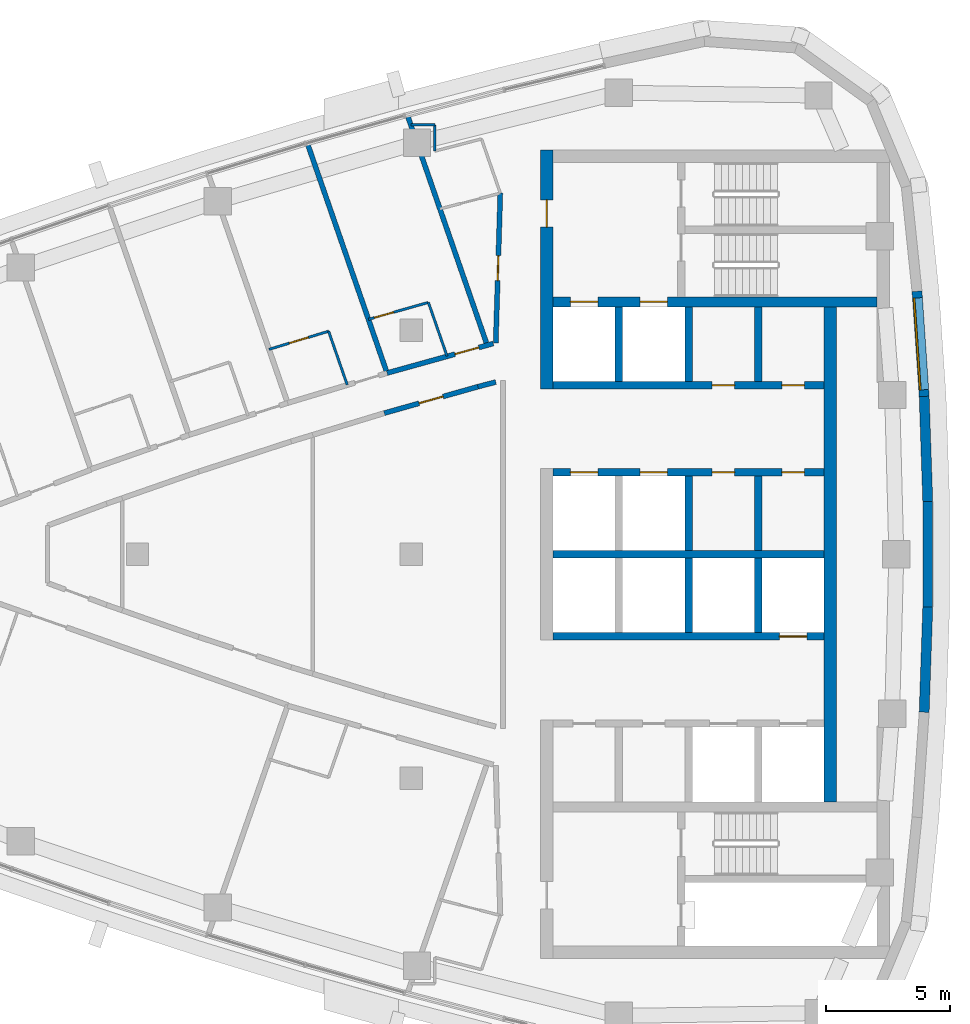
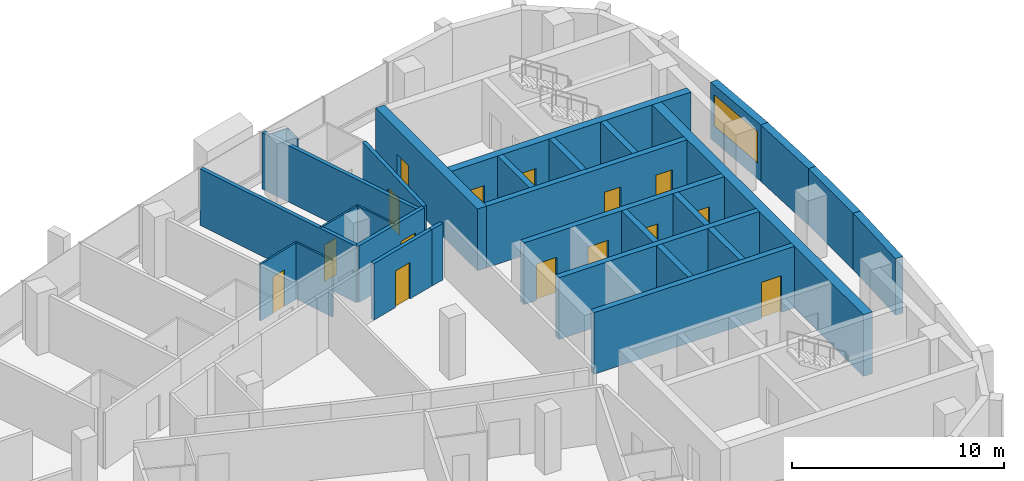
# One storey, part 9 of 14: 30 walls, 15 doors, 1 window, 16 openings.
"""IFC4 building model written with IfcOpenShell, lengths in metres."""

from ifc_helpers import new_model, si_unit, direction, frame, frame_2d, origin, place, context, subcontext, project, spatial, polyline, rectangle, outline, extrude, material, layer, layer_set, type_object, element, fill, save


model = new_model("IFC4")

# Units and contexts
model_context = context("Model", 3, precision=1e-05, world=origin(), true_north=direction((0.0, 1.0)))
body_context = subcontext(model_context, "Body", "Model", "MODEL_VIEW")
ifc_project = project(units=[si_unit("LENGTHUNIT", "METRE"), si_unit("AREAUNIT", "SQUARE_METRE"), si_unit("VOLUMEUNIT", "CUBIC_METRE"), si_unit("PLANEANGLEUNIT", "RADIAN"), si_unit("MASSUNIT", "GRAM", prefix="KILO")], contexts=[model_context])

# Site, building, storey
site_placement = place(None, origin())
site = spatial("IfcSite", under=ifc_project, at=site_placement, CompositionType="ELEMENT")
building_placement = place(site_placement, origin())
building = spatial("IfcBuilding", under=site, at=building_placement, Name="Ostrand Prow Hotel Tower", CompositionType="ELEMENT")
storey_placement = place(building_placement, frame((0.0, 0.0, 285.64990234375)))
storey = spatial("IfcBuildingStorey", under=building, at=storey_placement, Name="L72", CompositionType="ELEMENT", Elevation=285.64990234375)

# Wall
ifc_material_1 = material(Name="Concrete C50/60", Category="concrete")
ifc_layer_1 = layer(ifc_material_1, 0.300048828125)
ifc_layer_set_1 = layer_set([ifc_layer_1], Name="Concrete C50/60")
wall_type_1 = type_object("IfcWallType", Name="Core wall 300 C50/60", PredefinedType="SHEAR", material=ifc_layer_set_1)
wall_1_placement = place(storey_placement, frame((50.699951171875, 0.0, 0.0), z_axis=(0.0, 0.0, 1.0), x_axis=(1.0, 0.0, 0.0)))
element("IfcWall", 1, at=wall_1_placement, inside=storey, type_object=wall_type_1, Name="Core wall PW-C", PredefinedType="SHEAR", context=body_context, shape_type="SweptSolid", body=[
    extrude(rectangle(XDim=10.900146484375, YDim=0.300048828125, at=frame_2d((5.4501953125, 0.0))), origin(), (0.0, 0.0, 1.0), 3.550048828125),
])

# Wall, openings, doors
wall_2_placement = place(storey_placement, frame((50.699951171875, 3.300048828125, 0.0), z_axis=(0.0, 0.0, 1.0), x_axis=(1.0, 0.0, 0.0)))
wall_2 = element("IfcWall", 2, at=wall_2_placement, inside=storey, type_object=wall_type_1, Name="Core wall PW-L1-N", PredefinedType="SHEAR", context=body_context, shape_type="SweptSolid", body=[
    extrude(rectangle(XDim=10.900146484375, YDim=0.300048828125, at=frame_2d((5.4501953125, 0.0))), origin(), (0.0, 0.0, 1.0), 3.550048828125),
])
opening_1_placement = place(wall_2_placement, frame((0.699951171875, 0.0, 0.0)))
opening_1 = element("IfcOpeningElement", 3, at=opening_1_placement, cuts=wall_2, Name="Opening LD", PredefinedType="OPENING", context=body_context, shape_type="SweptSolid", body=[
    extrude(rectangle(XDim=1.10009765625, YDim=2.10009765625, at=frame_2d((0.550048828125, 1.050048828125))), frame((0.0, 0.159912109375, 0.0), z_axis=(0.0, -1.0, 0.0), x_axis=(1.0, 0.0, 0.0)), (0.0, 0.0, 1.0), 0.320068359375),
])
opening_2_placement = place(wall_2_placement, frame((3.5, 0.0, 0.0)))
opening_2 = element("IfcOpeningElement", 4, at=opening_2_placement, cuts=wall_2, Name="Opening LD", PredefinedType="OPENING", context=body_context, shape_type="SweptSolid", body=[
    extrude(rectangle(XDim=1.10009765625, YDim=2.10009765625, at=frame_2d((0.550048828125, 1.050048828125))), frame((0.0, 0.159912109375, 0.0), z_axis=(0.0, -1.0, 0.0), x_axis=(1.0, 0.0, 0.0)), (0.0, 0.0, 1.0), 0.320068359375),
])
opening_3_placement = place(wall_2_placement, frame((6.39990234375, 0.0, 0.0)))
opening_3 = element("IfcOpeningElement", 5, at=opening_3_placement, cuts=wall_2, Name="Opening FD2", PredefinedType="OPENING", context=body_context, shape_type="SweptSolid", body=[
    extrude(rectangle(XDim=0.89990234375, YDim=2.10009765625, at=frame_2d((0.449951171875, 1.050048828125))), frame((0.0, 0.159912109375, 0.0), z_axis=(0.0, -1.0, 0.0), x_axis=(1.0, 0.0, 0.0)), (0.0, 0.0, 1.0), 0.320068359375),
])
opening_4_placement = place(wall_2_placement, frame((9.199951171875, 0.0, 0.0)))
opening_4 = element("IfcOpeningElement", 6, at=opening_4_placement, cuts=wall_2, Name="Opening FD2", PredefinedType="OPENING", context=body_context, shape_type="SweptSolid", body=[
    extrude(rectangle(XDim=0.89990234375, YDim=2.10009765625, at=frame_2d((0.449951171875, 1.050048828125))), frame((0.0, 0.159912109375, 0.0), z_axis=(0.0, -1.0, 0.0), x_axis=(1.0, 0.0, 0.0)), (0.0, 0.0, 1.0), 0.320068359375),
])
ifc_material_2 = material(Name="Steel fire door", Category="steel")
door_type_1 = type_object("IfcDoorType", Name="Fire door 900 EI120", OperationType="SINGLE_SWING_LEFT", PredefinedType="DOOR", material=ifc_material_2)
door_1_placement = place(opening_3_placement, origin())
door_1 = element("IfcDoor", 7, at=door_1_placement, inside=storey, type_object=door_type_1, Name="DOOR", OperationType="SINGLE_SWING_LEFT", OverallHeight=2.10009765625, OverallWidth=0.89990234375, PredefinedType="DOOR", context=body_context, shape_type="SweptSolid", body=[
    extrude(rectangle(XDim=0.89990234375, YDim=2.10009765625, at=frame_2d((0.449951171875, 1.050048828125))), frame((0.0, 0.02490234375, 0.0), z_axis=(0.0, -1.0, 0.0), x_axis=(1.0, 0.0, 0.0)), (0.0, 0.0, 1.0), 0.050048828125),
])
fill(opening_3, door_1)
door_2_placement = place(opening_4_placement, origin())
door_2 = element("IfcDoor", 8, at=door_2_placement, inside=storey, type_object=door_type_1, Name="DOOR", OperationType="SINGLE_SWING_LEFT", OverallHeight=2.10009765625, OverallWidth=0.89990234375, PredefinedType="DOOR", context=body_context, shape_type="SweptSolid", body=[
    extrude(rectangle(XDim=0.89990234375, YDim=2.10009765625, at=frame_2d((0.449951171875, 1.050048828125))), frame((0.0, 0.02490234375, 0.0), z_axis=(0.0, -1.0, 0.0), x_axis=(1.0, 0.0, 0.0)), (0.0, 0.0, 1.0), 0.050048828125),
])
fill(opening_4, door_2)
ifc_material_3 = material(Name="Stainless steel door", Category="steel")
door_type_2 = type_object("IfcDoorType", Name="Lift landing door 1100", OperationType="DOUBLE_DOOR_SLIDING", PredefinedType="DOOR", material=ifc_material_3)
door_3_placement = place(opening_1_placement, origin())
door_3 = element("IfcDoor", 9, at=door_3_placement, inside=storey, type_object=door_type_2, Name="LIFT LANDING DOOR", OperationType="DOUBLE_DOOR_SLIDING", OverallHeight=2.10009765625, OverallWidth=1.10009765625, PredefinedType="DOOR", context=body_context, shape_type="SweptSolid", body=[
    extrude(rectangle(XDim=1.10009765625, YDim=2.10009765625, at=frame_2d((0.550048828125, 1.050048828125))), frame((0.0, 0.02490234375, 0.0), z_axis=(0.0, -1.0, 0.0), x_axis=(1.0, 0.0, 0.0)), (0.0, 0.0, 1.0), 0.050048828125),
])
fill(opening_1, door_3)
door_4_placement = place(opening_2_placement, origin())
door_4 = element("IfcDoor", 10, at=door_4_placement, inside=storey, type_object=door_type_2, Name="LIFT LANDING DOOR", OperationType="DOUBLE_DOOR_SLIDING", OverallHeight=2.10009765625, OverallWidth=1.10009765625, PredefinedType="DOOR", context=body_context, shape_type="SweptSolid", body=[
    extrude(rectangle(XDim=1.10009765625, YDim=2.10009765625, at=frame_2d((0.550048828125, 1.050048828125))), frame((0.0, 0.02490234375, 0.0), z_axis=(0.0, -1.0, 0.0), x_axis=(1.0, 0.0, 0.0)), (0.0, 0.0, 1.0), 0.050048828125),
])
fill(opening_2, door_4)

wall_3_placement = place(storey_placement, frame((50.699951171875, 6.800048828125, 0.0), z_axis=(0.0, 0.0, 1.0), x_axis=(1.0, 0.0, 0.0)))
wall_3 = element("IfcWall", 11, at=wall_3_placement, inside=storey, type_object=wall_type_1, Name="Core wall PW-L2-N", PredefinedType="SHEAR", context=body_context, shape_type="SweptSolid", body=[
    extrude(rectangle(XDim=10.900146484375, YDim=0.300048828125, at=frame_2d((5.4501953125, 0.0))), origin(), (0.0, 0.0, 1.0), 3.550048828125),
])
opening_5_placement = place(wall_3_placement, frame((6.39990234375, 0.0, 0.0)))
opening_5 = element("IfcOpeningElement", 12, at=opening_5_placement, cuts=wall_3, Name="Opening FD2", PredefinedType="OPENING", context=body_context, shape_type="SweptSolid", body=[
    extrude(rectangle(XDim=0.89990234375, YDim=2.10009765625, at=frame_2d((0.449951171875, 1.050048828125))), frame((0.0, 0.159912109375, 0.0), z_axis=(0.0, -1.0, 0.0), x_axis=(1.0, 0.0, 0.0)), (0.0, 0.0, 1.0), 0.320068359375),
])
opening_6_placement = place(wall_3_placement, frame((9.199951171875, 0.0, 0.0)))
opening_6 = element("IfcOpeningElement", 13, at=opening_6_placement, cuts=wall_3, Name="Opening FD2", PredefinedType="OPENING", context=body_context, shape_type="SweptSolid", body=[
    extrude(rectangle(XDim=0.89990234375, YDim=2.10009765625, at=frame_2d((0.449951171875, 1.050048828125))), frame((0.0, 0.159912109375, 0.0), z_axis=(0.0, -1.0, 0.0), x_axis=(1.0, 0.0, 0.0)), (0.0, 0.0, 1.0), 0.320068359375),
])
door_5_placement = place(opening_5_placement, origin())
door_5 = element("IfcDoor", 14, at=door_5_placement, inside=storey, type_object=door_type_1, Name="DOOR", OperationType="SINGLE_SWING_LEFT", OverallHeight=2.10009765625, OverallWidth=0.89990234375, PredefinedType="DOOR", context=body_context, shape_type="SweptSolid", body=[
    extrude(rectangle(XDim=0.89990234375, YDim=2.10009765625, at=frame_2d((0.449951171875, 1.050048828125))), frame((0.0, 0.02490234375, 0.0), z_axis=(0.0, -1.0, 0.0), x_axis=(1.0, 0.0, 0.0)), (0.0, 0.0, 1.0), 0.050048828125),
])
fill(opening_5, door_5)
door_6_placement = place(opening_6_placement, origin())
door_6 = element("IfcDoor", 15, at=door_6_placement, inside=storey, type_object=door_type_1, Name="DOOR", OperationType="SINGLE_SWING_LEFT", OverallHeight=2.10009765625, OverallWidth=0.89990234375, PredefinedType="DOOR", context=body_context, shape_type="SweptSolid", body=[
    extrude(rectangle(XDim=0.89990234375, YDim=2.10009765625, at=frame_2d((0.449951171875, 1.050048828125))), frame((0.0, 0.02490234375, 0.0), z_axis=(0.0, -1.0, 0.0), x_axis=(1.0, 0.0, 0.0)), (0.0, 0.0, 1.0), 0.050048828125),
])
fill(opening_6, door_6)

# Walls
for number, where, z_axis, x_axis, name in (
    (16, (53.35009765625, 6.949951171875, 0.0), (0.0, 0.0, 1.0), (0.0, 1.0, 0.0), "Core wall PW-R1-NA"),
    (17, (56.14990234375, 0.14990234375, 0.0), (0.0, 0.0, 1.0), (0.0, 1.0, 0.0), "Core wall PW-R2-NB"),
    (18, (56.14990234375, 6.949951171875, 0.0), (0.0, 0.0, 1.0), (0.0, 1.0, 0.0), "Core wall PW-R2-NA"),
    (19, (58.949951171875, 0.14990234375, 0.0), (0.0, 0.0, 1.0), (0.0, 1.0, 0.0), "Core wall PW-R3-NB"),
    (20, (58.949951171875, 6.949951171875, 0.0), (0.0, 0.0, 1.0), (0.0, 1.0, 0.0), "Core wall PW-R3-NA"),
):
    element("IfcWall", number, at=place(storey_placement, frame(where, z_axis=z_axis, x_axis=x_axis)), inside=storey, type_object=wall_type_1, Name=name, PredefinedType="SHEAR", context=body_context, shape_type="SweptSolid", body=[
        extrude(rectangle(XDim=3.0, YDim=0.300048828125, at=frame_2d((1.5, 0.0))), origin(), (0.0, 0.0, 1.0), 3.550048828125),
    ])

# Wall, opening, door
wall_4_placement = place(storey_placement, frame((50.699951171875, -3.300048828125, 0.0), z_axis=(0.0, 0.0, 1.0), x_axis=(1.0, 0.0, 0.0)))
wall_4 = element("IfcWall", 21, at=wall_4_placement, inside=storey, type_object=wall_type_1, Name="Core wall PW-L1-S", PredefinedType="SHEAR", context=body_context, shape_type="SweptSolid", body=[
    extrude(rectangle(XDim=10.900146484375, YDim=0.300048828125, at=frame_2d((5.4501953125, 0.0))), origin(), (0.0, 0.0, 1.0), 3.550048828125),
])
opening_7_placement = place(wall_4_placement, frame((9.10009765625, 0.0, 0.0)))
opening_7 = element("IfcOpeningElement", 22, at=opening_7_placement, cuts=wall_4, Name="Opening LD", PredefinedType="OPENING", context=body_context, shape_type="SweptSolid", body=[
    extrude(rectangle(XDim=1.10009765625, YDim=2.10009765625, at=frame_2d((0.550048828125, 1.050048828125))), frame((0.0, 0.159912109375, 0.0), z_axis=(0.0, -1.0, 0.0), x_axis=(1.0, 0.0, 0.0)), (0.0, 0.0, 1.0), 0.320068359375),
])
door_7_placement = place(opening_7_placement, origin())
door_7 = element("IfcDoor", 23, at=door_7_placement, inside=storey, type_object=door_type_2, Name="LIFT LANDING DOOR", OperationType="DOUBLE_DOOR_SLIDING", OverallHeight=2.10009765625, OverallWidth=1.10009765625, PredefinedType="DOOR", context=body_context, shape_type="SweptSolid", body=[
    extrude(rectangle(XDim=1.10009765625, YDim=2.10009765625, at=frame_2d((0.550048828125, 1.050048828125))), frame((0.0, 0.02490234375, 0.0), z_axis=(0.0, -1.0, 0.0), x_axis=(1.0, 0.0, 0.0)), (0.0, 0.0, 1.0), 0.050048828125),
])
fill(opening_7, door_7)

# Walls
for number, where, z_axis, x_axis, name in (
    (24, (56.14990234375, -3.14990234375, 0.0), (0.0, 0.0, 1.0), (0.0, 1.0, 0.0), "Core wall PW-R2-SB"),
    (25, (58.949951171875, -3.14990234375, 0.0), (0.0, 0.0, 1.0), (0.0, 1.0, 0.0), "Core wall PW-R3-SB"),
):
    element("IfcWall", number, at=place(storey_placement, frame(where, z_axis=z_axis, x_axis=x_axis)), inside=storey, type_object=wall_type_1, Name=name, PredefinedType="SHEAR", context=body_context, shape_type="SweptSolid", body=[
        extrude(rectangle(XDim=3.0, YDim=0.300048828125, at=frame_2d((1.5, 0.0))), origin(), (0.0, 0.0, 1.0), 3.550048828125),
    ])

# Wall, openings, doors
ifc_material_4 = material(Name="Concrete C50/60", Category="concrete")
ifc_layer_2 = layer(ifc_material_4, 0.39990234375)
ifc_layer_set_2 = layer_set([ifc_layer_2], Name="Concrete C50/60")
wall_type_2 = type_object("IfcWallType", Name="Core wall 400 C50/60", PredefinedType="SHEAR", material=ifc_layer_set_2)
wall_5_placement = place(storey_placement, frame((50.699951171875, 10.14990234375, 0.0), z_axis=(0.0, 0.0, 1.0), x_axis=(1.0, 0.0, 0.0)))
wall_5 = element("IfcWall", 26, at=wall_5_placement, inside=storey, type_object=wall_type_2, Name="Core wall PW-BN", PredefinedType="SHEAR", context=body_context, shape_type="SweptSolid", body=[
    extrude(rectangle(XDim=13.02001953125, YDim=0.39990234375, at=frame_2d((6.510009765625, 0.0))), origin(), (0.0, 0.0, 1.0), 3.550048828125),
])
opening_8_placement = place(wall_5_placement, frame((0.699951171875, 0.0, 0.0)))
opening_8 = element("IfcOpeningElement", 27, at=opening_8_placement, cuts=wall_5, Name="Opening LD", PredefinedType="OPENING", context=body_context, shape_type="SweptSolid", body=[
    extrude(rectangle(XDim=1.10009765625, YDim=2.10009765625, at=frame_2d((0.550048828125, 1.050048828125))), frame((0.0, 0.2099609375, 0.0), z_axis=(0.0, -1.0, 0.0), x_axis=(1.0, 0.0, 0.0)), (0.0, 0.0, 1.0), 0.419921875),
])
opening_9_placement = place(wall_5_placement, frame((3.5, 0.0, 0.0)))
opening_9 = element("IfcOpeningElement", 28, at=opening_9_placement, cuts=wall_5, Name="Opening LD", PredefinedType="OPENING", context=body_context, shape_type="SweptSolid", body=[
    extrude(rectangle(XDim=1.10009765625, YDim=2.10009765625, at=frame_2d((0.550048828125, 1.050048828125))), frame((0.0, 0.2099609375, 0.0), z_axis=(0.0, -1.0, 0.0), x_axis=(1.0, 0.0, 0.0)), (0.0, 0.0, 1.0), 0.419921875),
])
door_8_placement = place(opening_8_placement, origin())
door_8 = element("IfcDoor", 29, at=door_8_placement, inside=storey, type_object=door_type_2, Name="LIFT LANDING DOOR", OperationType="DOUBLE_DOOR_SLIDING", OverallHeight=2.10009765625, OverallWidth=1.10009765625, PredefinedType="DOOR", context=body_context, shape_type="SweptSolid", body=[
    extrude(rectangle(XDim=1.10009765625, YDim=2.10009765625, at=frame_2d((0.550048828125, 1.050048828125))), frame((0.0, 0.02490234375, 0.0), z_axis=(0.0, -1.0, 0.0), x_axis=(1.0, 0.0, 0.0)), (0.0, 0.0, 1.0), 0.050048828125),
])
fill(opening_8, door_8)
door_9_placement = place(opening_9_placement, origin())
door_9 = element("IfcDoor", 30, at=door_9_placement, inside=storey, type_object=door_type_2, Name="LIFT LANDING DOOR", OperationType="DOUBLE_DOOR_SLIDING", OverallHeight=2.10009765625, OverallWidth=1.10009765625, PredefinedType="DOOR", context=body_context, shape_type="SweptSolid", body=[
    extrude(rectangle(XDim=1.10009765625, YDim=2.10009765625, at=frame_2d((0.550048828125, 1.050048828125))), frame((0.0, 0.02490234375, 0.0), z_axis=(0.0, -1.0, 0.0), x_axis=(1.0, 0.0, 0.0)), (0.0, 0.0, 1.0), 0.050048828125),
])
fill(opening_9, door_9)

# Wall, opening, door
ifc_material_5 = material(Name="Concrete C50/60", Category="concrete")
ifc_layer_3 = layer(ifc_material_5, 0.5)
ifc_layer_set_3 = layer_set([ifc_layer_3], Name="Concrete C50/60")
wall_type_3 = type_object("IfcWallType", Name="Core wall 500 C50/60", PredefinedType="SHEAR", material=ifc_layer_set_3)
wall_6_placement = place(storey_placement, frame((50.449951171875, 6.64990234375, 0.0), z_axis=(0.0, 0.0, 1.0), x_axis=(0.0, 1.0, 0.0)))
wall_6 = element("IfcWall", 31, at=wall_6_placement, inside=storey, type_object=wall_type_3, Name="Core wall CW-W-N", PredefinedType="SHEAR", context=body_context, shape_type="SweptSolid", body=[
    extrude(rectangle(XDim=9.60009765625, YDim=0.5, at=frame_2d((4.800048828125, 0.0))), origin(), (0.0, 0.0, 1.0), 3.550048828125),
])
opening_10_placement = place(wall_6_placement, frame((6.5, 0.0, 0.0)))
opening_10 = element("IfcOpeningElement", 32, at=opening_10_placement, cuts=wall_6, Name="Opening FD1", PredefinedType="OPENING", context=body_context, shape_type="SweptSolid", body=[
    extrude(rectangle(XDim=1.10009765625, YDim=2.10009765625, at=frame_2d((0.550048828125, 1.050048828125))), frame((0.0, 0.260009765625, 0.0), z_axis=(0.0, -1.0, 0.0), x_axis=(1.0, 0.0, 0.0)), (0.0, 0.0, 1.0), 0.52001953125),
])
ifc_material_6 = material(Name="Steel fire door", Category="steel")
door_type_3 = type_object("IfcDoorType", Name="Fire door 1100 EI120", OperationType="SINGLE_SWING_RIGHT", PredefinedType="DOOR", material=ifc_material_6)
door_10_placement = place(opening_10_placement, origin())
door_10 = element("IfcDoor", 33, at=door_10_placement, inside=storey, type_object=door_type_3, Name="FIRE DOOR", OperationType="SINGLE_SWING_RIGHT", OverallHeight=2.10009765625, OverallWidth=1.10009765625, PredefinedType="DOOR", context=body_context, shape_type="SweptSolid", body=[
    extrude(rectangle(XDim=1.10009765625, YDim=2.10009765625, at=frame_2d((0.550048828125, 1.050048828125))), frame((0.0, 0.02490234375, 0.0), z_axis=(0.0, -1.0, 0.0), x_axis=(1.0, 0.0, 0.0)), (0.0, 0.0, 1.0), 0.050048828125),
])
fill(opening_10, door_10)

# Wall
wall_7_placement = place(storey_placement, frame((61.85009765625, -9.949951171875, 0.0), z_axis=(0.0, 0.0, 1.0), x_axis=(0.0, 1.0, 0.0)))
element("IfcWall", 34, at=wall_7_placement, inside=storey, type_object=wall_type_3, Name="Core wall CW-E-C", PredefinedType="SHEAR", context=body_context, shape_type="SweptSolid", body=[
    extrude(rectangle(XDim=19.89990234375, YDim=0.5, at=frame_2d((9.949951171875, 0.0))), origin(), (0.0, 0.0, 1.0), 3.550048828125),
])

# Wall, opening, door
ifc_material_7 = material(Name="Plasterboard partition")
ifc_layer_4 = layer(ifc_material_7, 0.10009765625)
ifc_layer_set_4 = layer_set([ifc_layer_4], Name="Plasterboard partition")
wall_type_4 = type_object("IfcWallType", Name="Partition 100 bathroom wall", PredefinedType="PARTITIONING", material=ifc_layer_set_4)
wall_8_placement = place(storey_placement, frame((39.287841796875, 8.23828125, 0.0), z_axis=(0.0, 0.0, 1.0), x_axis=(0.956723503196, 0.290998519638, 0.0)))
wall_8 = element("IfcWall", 35, at=wall_8_placement, inside=storey, type_object=wall_type_4, Name="BATHROOM WALL", PredefinedType="PARTITIONING", context=body_context, shape_type="SweptSolid", body=[
    extrude(rectangle(XDim=2.501708984375, YDim=0.10009765625, at=frame_2d((1.2509765625, 0.0))), origin(), (0.0, 0.0, 1.0), 3.25),
])
opening_11_placement = place(wall_8_placement, frame((0.85009765625, 0.0, 0.0)))
opening_11 = element("IfcOpeningElement", 36, at=opening_11_placement, cuts=wall_8, Name="Opening D2", PredefinedType="OPENING", context=body_context, shape_type="SweptSolid", body=[
    extrude(rectangle(XDim=0.800048828125, YDim=2.10009765625, at=frame_2d((0.39990234375, 1.050048828125))), frame((0.0, 0.06005859375, 0.0), z_axis=(0.0, -1.0, 0.0), x_axis=(1.0, 0.0, 0.0)), (0.0, 0.0, 1.0), 0.1201171875),
])
ifc_material_8 = material(Name="Timber door leaf", Category="wood")
door_type_4 = type_object("IfcDoorType", Name="Bathroom door 800", OperationType="SINGLE_SWING_LEFT", PredefinedType="DOOR", material=ifc_material_8)
door_11_placement = place(opening_11_placement, origin())
door_11 = element("IfcDoor", 37, at=door_11_placement, inside=storey, type_object=door_type_4, Name="DOOR", OperationType="SINGLE_SWING_LEFT", OverallHeight=2.10009765625, OverallWidth=0.800048828125, PredefinedType="DOOR", context=body_context, shape_type="SweptSolid", body=[
    extrude(rectangle(XDim=0.800048828125, YDim=2.10009765625, at=frame_2d((0.39990234375, 1.050048828125))), frame((0.0, 0.02490234375, 0.0), z_axis=(0.0, -1.0, 0.0), x_axis=(1.0, 0.0, 0.0)), (0.0, 0.0, 1.0), 0.050048828125),
])
fill(opening_11, door_11)

# Wall
wall_9_placement = place(storey_placement, frame((41.681396484375, 8.966064453125, 0.0), z_axis=(0.0, 0.0, 1.0), x_axis=(0.327743427431, -0.944766767925, 0.0)))
element("IfcWall", 38, at=wall_9_placement, inside=storey, type_object=wall_type_4, Name="BATHROOM WALL", PredefinedType="PARTITIONING", context=body_context, shape_type="SweptSolid", body=[
    extrude(rectangle(XDim=2.27880859375, YDim=0.10009765625, at=frame_2d((1.139404296875, 0.0))), origin(), (0.0, 0.0, 1.0), 3.25),
])

# Wall, opening, door
wall_10_placement = place(storey_placement, frame((43.28271484375, 9.443603515625, 0.0), z_axis=(0.0, 0.0, 1.0), x_axis=(0.962409173596, 0.271603723424, 0.0)))
wall_10 = element("IfcWall", 39, at=wall_10_placement, inside=storey, type_object=wall_type_4, Name="BATHROOM WALL", PredefinedType="PARTITIONING", context=body_context, shape_type="SweptSolid", body=[
    extrude(rectangle(XDim=2.50439453125, YDim=0.10009765625, at=frame_2d((1.252197265625, 0.0))), origin(), (0.0, 0.0, 1.0), 3.25),
])
opening_12_placement = place(wall_10_placement, frame((0.25, 0.0, 0.0)))
opening_12 = element("IfcOpeningElement", 40, at=opening_12_placement, cuts=wall_10, Name="Opening D2", PredefinedType="OPENING", context=body_context, shape_type="SweptSolid", body=[
    extrude(rectangle(XDim=0.800048828125, YDim=2.10009765625, at=frame_2d((0.39990234375, 1.050048828125))), frame((0.0, 0.06005859375, 0.0), z_axis=(0.0, -1.0, 0.0), x_axis=(1.0, 0.0, 0.0)), (0.0, 0.0, 1.0), 0.1201171875),
])
door_12_placement = place(opening_12_placement, origin())
door_12 = element("IfcDoor", 41, at=door_12_placement, inside=storey, type_object=door_type_4, Name="DOOR", OperationType="SINGLE_SWING_LEFT", OverallHeight=2.10009765625, OverallWidth=0.800048828125, PredefinedType="DOOR", context=body_context, shape_type="SweptSolid", body=[
    extrude(rectangle(XDim=0.800048828125, YDim=2.10009765625, at=frame_2d((0.39990234375, 1.050048828125))), frame((0.0, 0.02490234375, 0.0), z_axis=(0.0, -1.0, 0.0), x_axis=(1.0, 0.0, 0.0)), (0.0, 0.0, 1.0), 0.050048828125),
])
fill(opening_12, door_12)

# Walls
wall_11_placement = place(storey_placement, frame((45.69287109375, 10.123779296875, 0.0), z_axis=(0.0, 0.0, 1.0), x_axis=(0.327764902685, -0.944759317799, 0.0)))
element("IfcWall", 42, at=wall_11_placement, inside=storey, type_object=wall_type_4, Name="BATHROOM WALL", PredefinedType="PARTITIONING", context=body_context, shape_type="SweptSolid", body=[
    extrude(rectangle(XDim=2.28076171875, YDim=0.10009765625, at=frame_2d((1.140380859375, 0.0))), origin(), (0.0, 0.0, 1.0), 3.25),
])
wall_12_placement = place(storey_placement, frame((44.98486328125, 17.258544921875, 0.0), z_axis=(0.0, 0.0, 1.0), x_axis=(1.0, 0.0, 0.0)))
element("IfcWall", 43, at=wall_12_placement, inside=storey, type_object=wall_type_4, Name="BATHROOM WALL", PredefinedType="PARTITIONING", context=body_context, shape_type="SweptSolid", body=[
    extrude(rectangle(XDim=0.9697265625, YDim=0.10009765625, at=frame_2d((0.48486328125, 0.0))), origin(), (0.0, 0.0, 1.0), 3.25),
])
wall_13_placement = place(storey_placement, frame((45.95458984375, 17.258544921875, 0.0), z_axis=(0.0, 0.0, 1.0), x_axis=(0.0, -1.0, 0.0)))
element("IfcWall", 44, at=wall_13_placement, inside=storey, type_object=wall_type_4, Name="BATHROOM WALL", PredefinedType="PARTITIONING", context=body_context, shape_type="SweptSolid", body=[
    extrude(rectangle(XDim=1.051025390625, YDim=0.10009765625, at=frame_2d((0.525390625, 0.0))), origin(), (0.0, 0.0, 1.0), 3.25),
])

# Wall, opening, door
ifc_material_9 = material(Name="Plasterboard partition")
ifc_layer_5 = layer(ifc_material_9, 0.199951171875)
ifc_layer_set_5 = layer_set([ifc_layer_5], Name="Plasterboard partition")
wall_type_5 = type_object("IfcWallType", Name="Partition 200 corridor wall", PredefinedType="PARTITIONING", material=ifc_layer_set_5)
wall_14_placement = place(storey_placement, frame((48.29931640625, 8.472900390625, 0.0), z_axis=(0.0, 0.0, 1.0), x_axis=(-0.96343417102, -0.267945140115, 0.0)))
wall_14 = element("IfcWall", 45, at=wall_14_placement, inside=storey, type_object=wall_type_5, Name="CORRIDOR WALL", PredefinedType="PARTITIONING", context=body_context, shape_type="SweptSolid", body=[
    extrude(rectangle(XDim=4.43017578125, YDim=0.199951171875, at=frame_2d((2.215087890625, 0.0))), origin(), (0.0, 0.0, 1.0), 3.25),
])
opening_13_placement = place(wall_14_placement, frame((0.60302734375, 0.0, 0.0)))
opening_13 = element("IfcOpeningElement", 46, at=opening_13_placement, cuts=wall_14, Name="Opening D1R", PredefinedType="OPENING", context=body_context, shape_type="SweptSolid", body=[
    extrude(rectangle(XDim=1.0, YDim=2.10009765625, at=frame_2d((0.5, 1.050048828125))), frame((0.0, 0.10986328125, 0.0), z_axis=(0.0, -1.0, 0.0), x_axis=(1.0, 0.0, 0.0)), (0.0, 0.0, 1.0), 0.219970703125),
])
ifc_material_10 = material(Name="Timber door leaf", Category="wood")
door_type_5 = type_object("IfcDoorType", Name="Guest room door 1000 right", OperationType="SINGLE_SWING_RIGHT", PredefinedType="DOOR", material=ifc_material_10)
door_13_placement = place(opening_13_placement, origin())
door_13 = element("IfcDoor", 47, at=door_13_placement, inside=storey, type_object=door_type_5, Name="DOOR", OperationType="SINGLE_SWING_RIGHT", OverallHeight=2.10009765625, OverallWidth=1.0, PredefinedType="DOOR", context=body_context, shape_type="SweptSolid", body=[
    extrude(rectangle(XDim=1.0, YDim=2.10009765625, at=frame_2d((0.5, 1.050048828125))), frame((0.0, 0.02490234375, 0.0), z_axis=(0.0, -1.0, 0.0), x_axis=(1.0, 0.0, 0.0)), (0.0, 0.0, 1.0), 0.050048828125),
])
fill(opening_13, door_13)

wall_15_placement = place(storey_placement, frame((43.91845703125, 5.6748046875, 0.0), z_axis=(0.0, 0.0, 1.0), x_axis=(0.962411212211, 0.271596499628, 0.0)))
wall_15 = element("IfcWall", 48, at=wall_15_placement, inside=storey, type_object=wall_type_5, Name="CORRIDOR WALL", PredefinedType="PARTITIONING", context=body_context, shape_type="SweptSolid", body=[
    extrude(rectangle(XDim=3.912841796875, YDim=0.199951171875, at=frame_2d((1.95654296875, 0.0))), origin(), (0.0, 0.0, 1.0), 3.25),
])
opening_14_placement = place(wall_15_placement, frame((1.45654296875, 0.0, 0.0)))
opening_14 = element("IfcOpeningElement", 49, at=opening_14_placement, cuts=wall_15, Name="Opening D1", PredefinedType="OPENING", context=body_context, shape_type="SweptSolid", body=[
    extrude(rectangle(XDim=1.0, YDim=2.10009765625, at=frame_2d((0.5, 1.050048828125))), frame((0.0, 0.10986328125, 0.0), z_axis=(0.0, -1.0, 0.0), x_axis=(1.0, 0.0, 0.0)), (0.0, 0.0, 1.0), 0.219970703125),
])
ifc_material_11 = material(Name="Timber door leaf", Category="wood")
door_type_6 = type_object("IfcDoorType", Name="Guest room door 1000", OperationType="SINGLE_SWING_LEFT", PredefinedType="DOOR", material=ifc_material_11)
door_14_placement = place(opening_14_placement, origin())
door_14 = element("IfcDoor", 50, at=door_14_placement, inside=storey, type_object=door_type_6, Name="DOOR", OperationType="SINGLE_SWING_LEFT", OverallHeight=2.10009765625, OverallWidth=1.0, PredefinedType="DOOR", context=body_context, shape_type="SweptSolid", body=[
    extrude(rectangle(XDim=1.0, YDim=2.10009765625, at=frame_2d((0.5, 1.050048828125))), frame((0.0, 0.02490234375, 0.0), z_axis=(0.0, -1.0, 0.0), x_axis=(1.0, 0.0, 0.0)), (0.0, 0.0, 1.0), 0.050048828125),
])
fill(opening_14, door_14)

# Wall
wall_16_placement = place(storey_placement, frame((47.684326171875, 6.737548828125, 0.0), z_axis=(0.0, 0.0, 1.0), x_axis=(0.967585713416, 0.252542842294, 0.0)))
element("IfcWall", 51, at=wall_16_placement, inside=storey, type_object=wall_type_5, Name="CORRIDOR WALL", PredefinedType="PARTITIONING", context=body_context, shape_type="SweptSolid", body=[
    extrude(rectangle(XDim=0.739501953125, YDim=0.199951171875, at=frame_2d((0.36962890625, 0.0))), origin(), (0.0, 0.0, 1.0), 3.25),
])

# Wall, opening, door
wall_17_placement = place(storey_placement, frame((48.58251953125, 14.515625, 0.0), z_axis=(0.0, 0.0, 1.0), x_axis=(-0.030318578026, -0.999540286245, 0.0)))
wall_17 = element("IfcWall", 52, at=wall_17_placement, inside=storey, type_object=wall_type_5, Name="CORRIDOR WALL", PredefinedType="PARTITIONING", context=body_context, shape_type="SweptSolid", body=[
    extrude(rectangle(XDim=6.023193359375, YDim=0.199951171875, at=frame_2d((3.01171875, 0.0))), origin(), (0.0, 0.0, 1.0), 3.25),
])
opening_15_placement = place(wall_17_placement, frame((2.511962890625, 0.0, 0.0)))
opening_15 = element("IfcOpeningElement", 53, at=opening_15_placement, cuts=wall_17, Name="Opening D1R", PredefinedType="OPENING", context=body_context, shape_type="SweptSolid", body=[
    extrude(rectangle(XDim=1.0, YDim=2.10009765625, at=frame_2d((0.5, 1.050048828125))), frame((0.0, 0.10986328125, 0.0), z_axis=(0.0, -1.0, 0.0), x_axis=(1.0, 0.0, 0.0)), (0.0, 0.0, 1.0), 0.219970703125),
])
door_15_placement = place(opening_15_placement, origin())
door_15 = element("IfcDoor", 54, at=door_15_placement, inside=storey, type_object=door_type_5, Name="DOOR", OperationType="SINGLE_SWING_RIGHT", OverallHeight=2.10009765625, OverallWidth=1.0, PredefinedType="DOOR", context=body_context, shape_type="SweptSolid", body=[
    extrude(rectangle(XDim=1.0, YDim=2.10009765625, at=frame_2d((0.5, 1.050048828125))), frame((0.0, 0.02490234375, 0.0), z_axis=(0.0, -1.0, 0.0), x_axis=(1.0, 0.0, 0.0)), (0.0, 0.0, 1.0), 0.050048828125),
])
fill(opening_15, door_15)

# Walls
ifc_material_12 = material(Name="Plasterboard partition")
ifc_layer_6 = layer(ifc_material_12, 0.199951171875)
ifc_layer_set_6 = layer_set([ifc_layer_6], Name="Plasterboard partition")
wall_type_6 = type_object("IfcWallType", Name="Partition 200 key partition", PredefinedType="PARTITIONING", material=ifc_layer_set_6)
wall_18_placement = place(storey_placement, frame((44.037841796875, 7.266845703125, 0.0), z_axis=(0.0, 0.0, 1.0), x_axis=(-0.327714576096, 0.944776776077, 0.0)))
element("IfcWall", 55, at=wall_18_placement, inside=storey, type_object=wall_type_6, Name="KEY PARTITION", PredefinedType="PARTITIONING", context=body_context, shape_type="SweptSolid", body=[
    extrude(rectangle(XDim=9.716796875, YDim=0.199951171875, at=frame_2d((4.8583984375, 0.0))), origin(), (0.0, 0.0, 1.0), 3.25),
])
wall_19_placement = place(storey_placement, frame((48.02294921875, 8.5, 0.0), z_axis=(0.0, 0.0, 1.0), x_axis=(-0.327705598625, 0.944779890043, 0.0)))
element("IfcWall", 56, at=wall_19_placement, inside=storey, type_object=wall_type_6, Name="KEY PARTITION", PredefinedType="PARTITIONING", context=body_context, shape_type="SweptSolid", body=[
    extrude(rectangle(XDim=9.60986328125, YDim=0.199951171875, at=frame_2d((4.804931640625, 0.0))), origin(), (0.0, 0.0, 1.0), 3.25),
])
ifc_material_13 = material(Name="Precast concrete C40/50", Category="concrete")
ifc_layer_7 = layer(ifc_material_13, 0.39990234375)
ifc_layer_set_7 = layer_set([ifc_layer_7], Name="Precast concrete C40/50")
wall_type_7 = type_object("IfcWallType", Name="Stone-faced precast wall 400 mm", PredefinedType="NOTDEFINED", material=ifc_layer_set_7)
for number, where, z_axis, x_axis, name in (
    (57, (65.6201171875, -6.34765625, 0.0), (0.0, 0.0, 1.0), (0.034082898699, 0.999419009233, 0.0), "Stone-faced wall back 7"),
    (58, (65.764404296875, -2.11669921875, 0.0), (0.0, 0.0, 1.0), (0.0, 1.0, 0.0), "Stone-faced wall back 8"),
    (59, (65.764404296875, 2.11669921875, 0.0), (0.0, 0.0, 1.0), (-0.034082898699, 0.999419009233, 0.0), "Stone-faced wall back 9"),
):
    element("IfcWall", number, at=place(storey_placement, frame(where, z_axis=z_axis, x_axis=x_axis)), inside=storey, type_object=wall_type_7, Name=name, PredefinedType="NOTDEFINED", context=body_context, shape_type="SweptSolid", body=[
        extrude(outline(polyline([(-0.00341796875, -0.199951171875), (4.23681640625, -0.199951171875), (4.22998046875, 0.199951171875), (0.00341796875, 0.199951171875), (-0.00341796875, -0.199951171875)])), origin(), (0.0, 0.0, 1.0), 3.25),
    ])

# Wall, opening, window
wall_20_placement = place(storey_placement, frame((65.6201171875, 6.34765625, 0.0), z_axis=(0.0, 0.0, 1.0), x_axis=(-0.068279584479, 0.997666225921, 0.0)))
wall_20 = element("IfcWall", 60, at=wall_20_placement, inside=storey, type_object=wall_type_7, Name="Stone-faced wall back 10", PredefinedType="NOTDEFINED", context=body_context, shape_type="SweptSolid", body=[
    extrude(outline(polyline([(-0.00341796875, -0.199951171875), (4.23681640625, -0.199951171875), (4.22998046875, 0.199951171875), (0.00341796875, 0.199951171875), (-0.00341796875, -0.199951171875)])), origin(), (0.0, 0.0, 1.0), 3.25),
])
opening_16_placement = place(wall_20_placement, frame((0.2666015625, 0.0, 0.89990234375)))
opening_16 = element("IfcOpeningElement", 61, at=opening_16_placement, cuts=wall_20, Name="Opening WS3-37", PredefinedType="OPENING", context=body_context, shape_type="SweptSolid", body=[
    extrude(rectangle(XDim=3.699951171875, YDim=1.800048828125, at=frame_2d((1.85009765625, 0.89990234375))), frame((0.0, 0.2099609375, 0.0), z_axis=(0.0, -1.0, 0.0), x_axis=(1.0, 0.0, 0.0)), (0.0, 0.0, 1.0), 0.419921875),
])
ifc_material_14 = material(Name="Insulated glass in bronze frame", Category="glass")
window_type = type_object("IfcWindowType", Name="Strip window 3700x1800", PartitioningType="SINGLE_PANEL", PredefinedType="WINDOW", material=ifc_material_14)
window_placement = place(opening_16_placement, origin())
window = element("IfcWindow", 62, at=window_placement, inside=storey, type_object=window_type, Name="Window back 10.1", OverallHeight=1.800048828125, OverallWidth=3.699951171875, PartitioningType="SINGLE_PANEL", PredefinedType="WINDOW", context=body_context, shape_type="SweptSolid", body=[
    extrude(rectangle(XDim=3.699951171875, YDim=1.800048828125, at=frame_2d((1.85009765625, 0.89990234375))), frame((0.0, 0.169921875, 0.0), z_axis=(0.0, -1.0, 0.0), x_axis=(1.0, 0.0, 0.0)), (0.0, 0.0, 1.0), 0.06005859375),
])
fill(opening_16, window)

save(model, "model.ifc")
